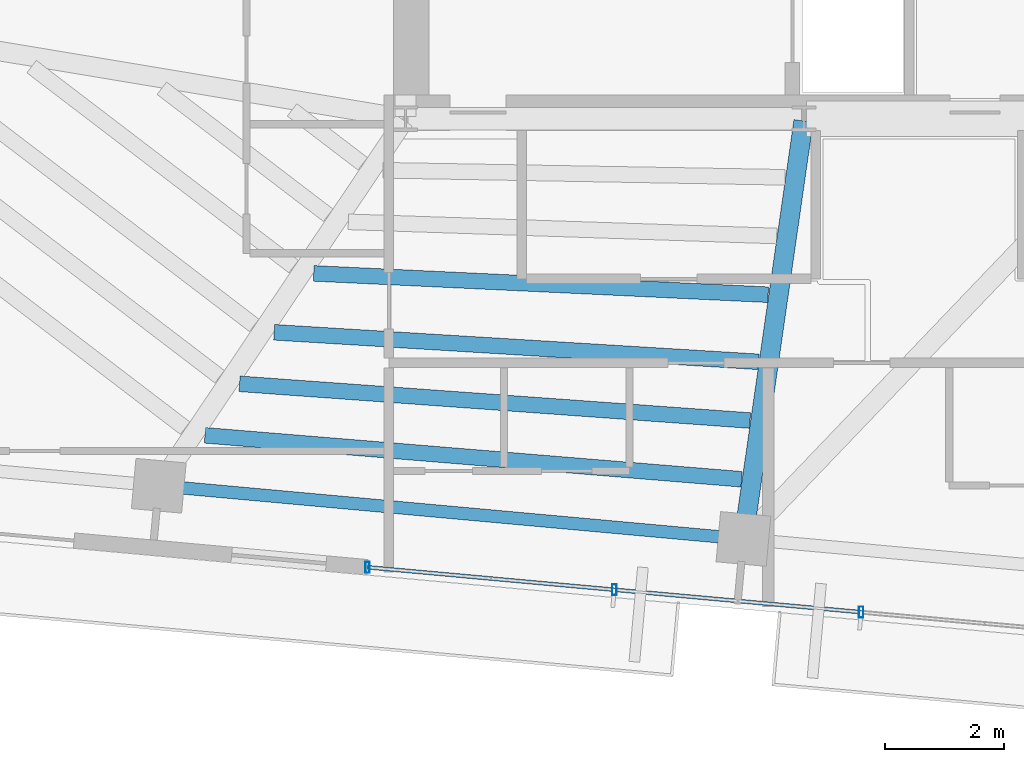
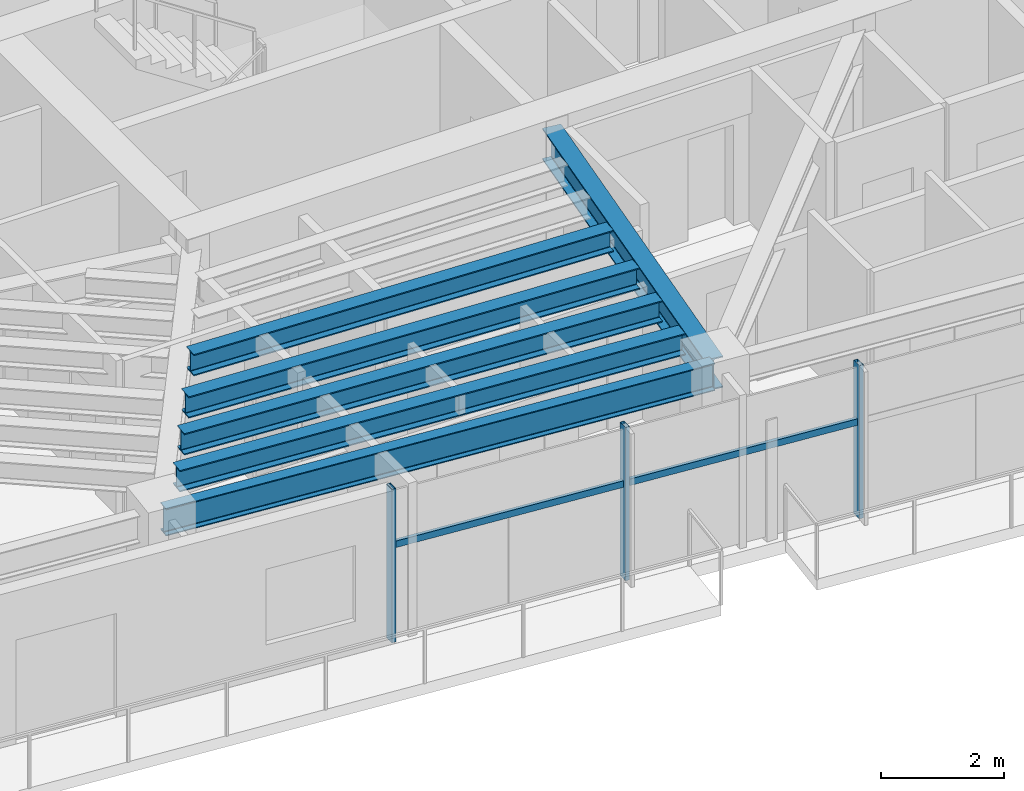
# One storey, part 6 of 22: 6 beams, 5 members, 1 element without a shape of its own.
"""IFC4 building model written with IfcOpenShell, lengths in metres."""

from ifc_helpers import new_model, si_unit, direction, frame, origin, origin_2d, place, context, subcontext, project, spatial, hollow_rectangle, i_section, extrude, source, transform, mapped, material, material_profile, profile_set, type_object, type_shapes, element, aggregate, save


model = new_model("IFC4")

# Units and contexts
model_context = context("Model", 3, precision=1e-05, world=origin(), true_north=direction((0.0, 1.0)))
body_context = subcontext(model_context, "Body", "Model", "MODEL_VIEW")
ifc_project = project(units=[si_unit("LENGTHUNIT", "METRE"), si_unit("AREAUNIT", "SQUARE_METRE"), si_unit("VOLUMEUNIT", "CUBIC_METRE"), si_unit("PLANEANGLEUNIT", "RADIAN"), si_unit("MASSUNIT", "GRAM", prefix="KILO")], contexts=[model_context])

# Site, building, storey
site_placement = place(None, origin())
site = spatial("IfcSite", under=ifc_project, at=site_placement, CompositionType="ELEMENT")
building_placement = place(site_placement, origin())
building = spatial("IfcBuilding", under=site, at=building_placement, Name="Astriad Promenade Condominiums", CompositionType="ELEMENT")
storey_placement = place(building_placement, frame((0.0, 0.0, 236.39990234375)))
storey = spatial("IfcBuildingStorey", under=building, at=storey_placement, Name="L68", CompositionType="ELEMENT", Elevation=236.39990234375)

# Beams
ifc_material_1 = material(Name="Steel ASTM A992 Grade 50", Category="steel")
ifc_material_profile_1 = material_profile(ifc_material_1, i_section(OverallWidth=0.210693359375, OverallDepth=0.53955078125, WebThickness=0.01171875, FlangeThickness=0.018798828125, FilletRadius=0.0166015625, at=origin_2d()), Name="W21X73")
ifc_profile_set_1 = profile_set([ifc_material_profile_1], Name="Steel ASTM A992 Grade 50")
beam_type_1 = type_object("IfcBeamType", Name="STEEL SPANDREL BEAM W21X73", PredefinedType="SPANDREL", material=ifc_profile_set_1)
shared_shape_1 = source(origin(), body_context, "Body", "SweptSolid", [
    extrude(i_section(OverallWidth=0.210693359375, OverallDepth=0.53955078125, WebThickness=0.01171875, FlangeThickness=0.018798828125, FilletRadius=0.0166015625, at=origin_2d()), origin(), (0.0, 0.0, 1.0), 9.81982421875),
])
type_shapes(beam_type_1, [shared_shape_1])
beam_1_placement = place(storey_placement, frame((22.281005859375, 11.205322265625, 2.7705078125), z_axis=(0.995885459014, -0.090620927631, 0.0), x_axis=(0.090620927631, 0.995885459014, 0.0)))
element("IfcBeam", 1, at=beam_1_placement, inside=storey, type_object=beam_type_1, Name="Perimeter Spandrel Beam SP-S2-L68", PredefinedType="SPANDREL", context=body_context, shape_type="MappedRepresentation", body=[
    mapped(shared_shape_1, transform((0.0, 0.0, 0.0), scale=1.0)),
])
ifc_material_profile_2 = material_profile(ifc_material_1, i_section(OverallWidth=0.326416015625, OverallDepth=0.621826171875, WebThickness=0.015380859375, FlangeThickness=0.0244140625, FilletRadius=0.017822265625, at=origin_2d()), Name="W24X131")
ifc_profile_set_2 = profile_set([ifc_material_profile_2], Name="Steel ASTM A992 Grade 50")
beam_type_2 = type_object("IfcBeamType", Name="STEEL FLOOR GIRDER W24X131", PredefinedType="BEAM", material=ifc_profile_set_2)
shared_shape_2 = source(origin(), body_context, "Body", "SweptSolid", [
    extrude(i_section(OverallWidth=0.326416015625, OverallDepth=0.621826171875, WebThickness=0.015380859375, FlangeThickness=0.0244140625, FilletRadius=0.017822265625, at=origin_2d()), origin(), (0.0, 0.0, 1.0), 7.081298828125),
])
type_shapes(beam_type_2, [shared_shape_2])
beam_2_placement = place(storey_placement, frame((32.10595703125, 10.351318359375, 2.729248046875), z_axis=(0.142391481124, 0.989810419274, 0.0), x_axis=(-0.989810419274, 0.142391481124, 0.0)))
element("IfcBeam", 2, at=beam_2_placement, inside=storey, type_object=beam_type_2, Name="Primary Floor Girder PG-C1-L68", PredefinedType="BEAM", context=body_context, shape_type="MappedRepresentation", body=[
    mapped(shared_shape_2, transform((0.0, 0.0, 0.0), scale=1.0)),
])
ifc_material_profile_3 = material_profile(ifc_material_1, i_section(OverallWidth=0.26318359375, OverallDepth=0.425537109375, WebThickness=0.01318359375, FlangeThickness=0.022216796875, FilletRadius=0.013916015625, at=origin_2d()), Name="W16X89")
ifc_profile_set_3 = profile_set([ifc_material_profile_3], Name="Steel ASTM A992 Grade 50")
beam_type_3 = type_object("IfcBeamType", Name="STEEL FLOOR JOIST W16X89", PredefinedType="JOIST", material=ifc_profile_set_3)
shared_shape_3 = source(origin(), body_context, "Body", "SweptSolid", [
    extrude(i_section(OverallWidth=0.26318359375, OverallDepth=0.425537109375, WebThickness=0.01318359375, FlangeThickness=0.022216796875, FilletRadius=0.013916015625, at=origin_2d()), origin(), (0.0, 0.0, 1.0), 9.08056640625),
])
beam_3_placement = place(storey_placement, frame((23.019775390625, 12.059814453125, 2.827392578125), z_axis=(0.996660857814, -0.081652522934, 0.0), x_axis=(0.081652522934, 0.996660857814, 0.0)))
element("IfcBeam", 3, at=beam_3_placement, inside=storey, type_object=beam_type_3, Name="Secondary Composite Floor Joist JCW-1-L68", PredefinedType="JOIST", context=body_context, shape_type="MappedRepresentation", body=[
    mapped(shared_shape_3, transform((0.0, 0.0, 0.0), scale=1.0)),
])
shared_shape_4 = source(origin(), body_context, "Body", "SweptSolid", [
    extrude(i_section(OverallWidth=0.26318359375, OverallDepth=0.425537109375, WebThickness=0.01318359375, FlangeThickness=0.022216796875, FilletRadius=0.013916015625, at=origin_2d()), origin(), (0.0, 0.0, 1.0), 8.631591796875),
])
beam_4_placement = place(storey_placement, frame((23.603271484375, 12.92822265625, 2.827392578125), z_axis=(0.997424124914, -0.071729457259, 0.0), x_axis=(0.071729457259, 0.997424124914, 0.0)))
element("IfcBeam", 4, at=beam_4_placement, inside=storey, type_object=beam_type_3, Name="Secondary Composite Floor Joist JCW-2-L68", PredefinedType="JOIST", context=body_context, shape_type="MappedRepresentation", body=[
    mapped(shared_shape_4, transform((0.0, 0.0, 0.0), scale=1.0)),
])
shared_shape_5 = source(origin(), body_context, "Body", "SweptSolid", [
    extrude(i_section(OverallWidth=0.26318359375, OverallDepth=0.425537109375, WebThickness=0.01318359375, FlangeThickness=0.022216796875, FilletRadius=0.013916015625, at=origin_2d()), origin(), (0.0, 0.0, 1.0), 8.183349609375),
])
beam_5_placement = place(storey_placement, frame((24.186767578125, 13.797119140625, 2.827392578125), z_axis=(0.998148077796, -0.06083103478, 0.0), x_axis=(0.06083103478, 0.998148077796, 0.0)))
element("IfcBeam", 5, at=beam_5_placement, inside=storey, type_object=beam_type_3, Name="Secondary Composite Floor Joist JCW-3-L68", PredefinedType="JOIST", context=body_context, shape_type="MappedRepresentation", body=[
    mapped(shared_shape_5, transform((0.0, 0.0, 0.0), scale=1.0)),
])
shared_shape_6 = source(origin(), body_context, "Body", "SweptSolid", [
    extrude(i_section(OverallWidth=0.26318359375, OverallDepth=0.425537109375, WebThickness=0.01318359375, FlangeThickness=0.022216796875, FilletRadius=0.013916015625, at=origin_2d()), origin(), (0.0, 0.0, 1.0), 7.672119140625),
])
type_shapes(beam_type_3, [shared_shape_3, shared_shape_4, shared_shape_5, shared_shape_6])
beam_6_placement = place(storey_placement, frame((24.85400390625, 14.790283203125, 2.827392578125), z_axis=(0.998903848677, -0.04680919886, 0.0), x_axis=(0.04680919886, 0.998903848677, 0.0)))
element("IfcBeam", 6, at=beam_6_placement, inside=storey, type_object=beam_type_3, Name="Secondary Composite Floor Joist JCW-4-L68", PredefinedType="JOIST", context=body_context, shape_type="MappedRepresentation", body=[
    mapped(shared_shape_6, transform((0.0, 0.0, 0.0), scale=1.0)),
])

# Curtain wall, members
ifc_material_2 = material(Name="Anodised aluminium Black Dark Glass Unitised", Category="aluminium")
curtain_wall_type = type_object("IfcCurtainWallType", Name="CW-B5-DARK", PredefinedType="USERDEFINED", material=ifc_material_2)
curtain_wall_placement = place(storey_placement, origin())
curtain_wall = element("IfcCurtainWall", 7, at=curtain_wall_placement, inside=storey, type_object=curtain_wall_type, Name="CW-L68-S", ObjectType="UNITISED_CURTAIN_WALL", PredefinedType="USERDEFINED")
ifc_material_3 = material(Name="Anodised aluminium 6063-T6 Black", Category="aluminium")
ifc_material_profile_4 = material_profile(ifc_material_3, hollow_rectangle(XDim=0.06494140625, YDim=0.1298828125, WallThickness=0.00390625, at=origin_2d()), Name="ALU-TRN-65X130")
ifc_profile_set_4 = profile_set([ifc_material_profile_4], Name="Anodised aluminium 6063-T6 Black")
member_type_1 = type_object("IfcMemberType", Name="TRN-ALU-TRN-65X130", PredefinedType="USERDEFINED", material=ifc_profile_set_4)
shared_shape_7 = source(origin(), body_context, "Body", "SweptSolid", [
    extrude(hollow_rectangle(XDim=0.06494140625, YDim=0.1298828125, WallThickness=0.00390625, at=origin_2d()), origin(), (0.0, 0.0, 1.0), 4.179931640625),
])
type_shapes(member_type_1, [shared_shape_7])
member_1_placement = place(storey_placement, frame((34.086669921875, 9.07666015625, 1.885009765625), z_axis=(-0.995883146811, 0.090646334165, 0.0), x_axis=(-0.090646334165, -0.995883146811, 0.0)))
member_1 = element("IfcMember", 8, at=member_1_placement, type_object=member_type_1, Name="CW-L68-S-TRN-01-0", ObjectType="TRANSOM", PredefinedType="USERDEFINED", context=body_context, shape_type="MappedRepresentation", body=[
    mapped(shared_shape_7, transform((0.0, 0.0, 0.0), scale=1.0)),
])
member_2_placement = place(storey_placement, frame((29.923828125, 9.45556640625, 1.885009765625), z_axis=(-0.995883146811, 0.090646334165, 0.0), x_axis=(-0.090646334165, -0.995883146811, 0.0)))
member_2 = element("IfcMember", 9, at=member_2_placement, type_object=member_type_1, Name="CW-L68-S-TRN-02-0", ObjectType="TRANSOM", PredefinedType="USERDEFINED", context=body_context, shape_type="MappedRepresentation", body=[
    mapped(shared_shape_7, transform((0.0, 0.0, 0.0), scale=1.0)),
])
ifc_material_profile_5 = material_profile(ifc_material_3, hollow_rectangle(XDim=0.074951171875, YDim=0.18505859375, WallThickness=0.00439453125, at=origin_2d()), Name="ALU-MUL-75X185")
ifc_profile_set_5 = profile_set([ifc_material_profile_5], Name="Anodised aluminium 6063-T6 Black")
member_type_2 = type_object("IfcMemberType", Name="MUL-ALU-MUL-75X185", PredefinedType="MULLION", material=ifc_profile_set_5)
shared_shape_8 = source(origin(), body_context, "Body", "SweptSolid", [
    extrude(hollow_rectangle(XDim=0.074951171875, YDim=0.18505859375, WallThickness=0.00439453125, at=origin_2d()), origin(), (0.0, 0.0, 1.0), 3.0400390625),
])
type_shapes(member_type_2, [shared_shape_8])
member_3_placement = place(storey_placement, frame((34.086669921875, 9.07666015625, 0.0), z_axis=(0.0, 0.0, 1.0), x_axis=(1.0, 0.0, 0.0)))
member_3 = element("IfcMember", 10, at=member_3_placement, type_object=member_type_2, Name="CW-L68-S-MUL-01", PredefinedType="MULLION", context=body_context, shape_type="MappedRepresentation", body=[
    mapped(shared_shape_8, transform((0.0, 0.0, 0.0), scale=1.0)),
])
member_4_placement = place(storey_placement, frame((29.923828125, 9.45556640625, 0.0), z_axis=(0.0, 0.0, 1.0), x_axis=(1.0, 0.0, 0.0)))
member_4 = element("IfcMember", 11, at=member_4_placement, type_object=member_type_2, Name="CW-L68-S-MUL-02", PredefinedType="MULLION", context=body_context, shape_type="MappedRepresentation", body=[
    mapped(shared_shape_8, transform((0.0, 0.0, 0.0), scale=1.0)),
])
member_5_placement = place(storey_placement, frame((25.760986328125, 9.83447265625, 0.0), z_axis=(0.0, 0.0, 1.0), x_axis=(1.0, 0.0, 0.0)))
member_5 = element("IfcMember", 12, at=member_5_placement, type_object=member_type_2, Name="CW-L68-S-MUL-03", PredefinedType="MULLION", context=body_context, shape_type="MappedRepresentation", body=[
    mapped(shared_shape_8, transform((0.0, 0.0, 0.0), scale=1.0)),
])
aggregate(curtain_wall, [member_3, member_4, member_5, member_1, member_2])

save(model, "model.ifc")
